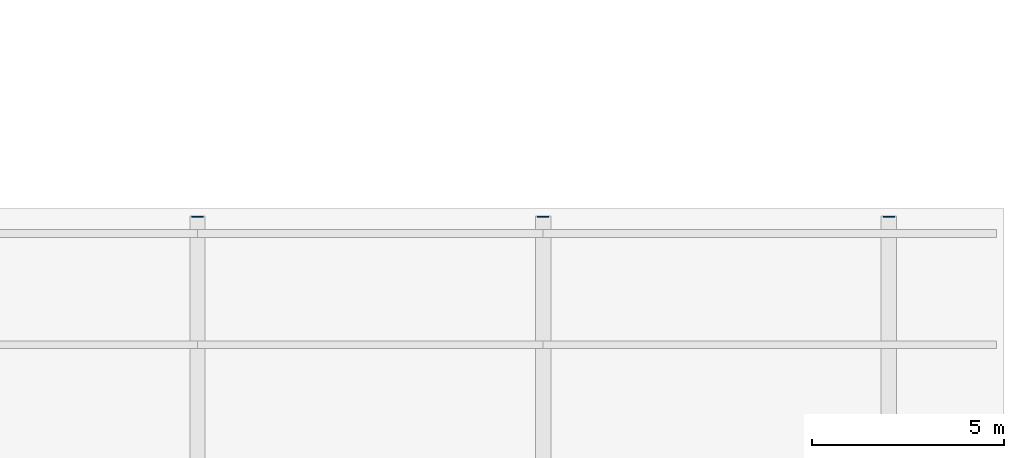
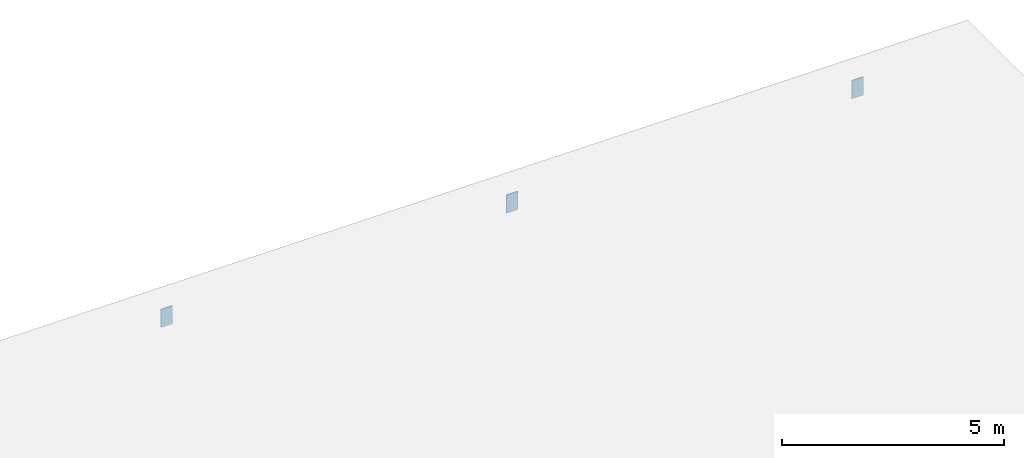
# One storey, part 27 of 32: 3 discrete accessories.
"""IFC4 building model written with IfcOpenShell, lengths in metres."""

from ifc_helpers import new_model, si_unit, direction, frame, origin, origin_2d, place, context, subcontext, project, spatial, rectangle, extrude, material, layer, layer_set, type_object, element, save


model = new_model("IFC4")

# Units and contexts
model_context = context("Model", 3, precision=1e-05, world=origin(), true_north=direction((0.0, 1.0)))
body_context = subcontext(model_context, "Body", "Model", "MODEL_VIEW")
ifc_project = project(units=[si_unit("LENGTHUNIT", "METRE"), si_unit("AREAUNIT", "SQUARE_METRE"), si_unit("VOLUMEUNIT", "CUBIC_METRE"), si_unit("PLANEANGLEUNIT", "RADIAN"), si_unit("MASSUNIT", "GRAM", prefix="KILO")], contexts=[model_context])

# Site, building, storey
site_placement = place(None, origin())
site = spatial("IfcSite", under=ifc_project, at=site_placement, CompositionType="ELEMENT")
building_placement = place(site_placement, origin())
building = spatial("IfcBuilding", under=site, at=building_placement, Name="Hunhe Ridgeline Campus", CompositionType="ELEMENT")
storey_placement = place(building_placement, frame((0.0, 0.0, 26.39990234375)))
storey = spatial("IfcBuildingStorey", under=building, at=storey_placement, Name="L05", CompositionType="ELEMENT", Elevation=26.39990234375)

# Discrete accessories
ifc_material = material(Name="Steel Q355", Category="steel")
ifc_layer = layer(ifc_material, 0.030029296875)
ifc_layer_set = layer_set([ifc_layer], Name="Cast-in plate 300x500x30 Steel Q355")
discrete_accessory_type = type_object("IfcDiscreteAccessoryType", Name="Cast-in plate 300x500x30 Steel Q355", PredefinedType="BRACKET", material=ifc_layer_set)
for number, where, z_axis, x_axis, name in (
    (1, (189.0, 76.284912109375, 0.14013671875), (0.0, 0.0, 1.0), (0.0, 1.0, 0.0), "Roof truss 5 cast-in plate n top"),
    (2, (198.0, 76.284912109375, 0.14013671875), (0.0, 0.0, 1.0), (0.0, 1.0, 0.0), "Roof truss 6 cast-in plate n top"),
    (3, (207.0, 76.284912109375, 0.14013671875), (0.0, 0.0, 1.0), (0.0, 1.0, 0.0), "Roof truss 7 cast-in plate n top"),
):
    element("IfcDiscreteAccessory", number, at=place(storey_placement, frame(where, z_axis=z_axis, x_axis=x_axis)), inside=storey, type_object=discrete_accessory_type, Name=name, PredefinedType="BRACKET", context=body_context, shape_type="SweptSolid", body=[
        extrude(rectangle(XDim=0.030029296875, YDim=0.300048828125, at=origin_2d()), origin(), (0.0, 0.0, 1.0), 0.5),
    ])

save(model, "model.ifc")
